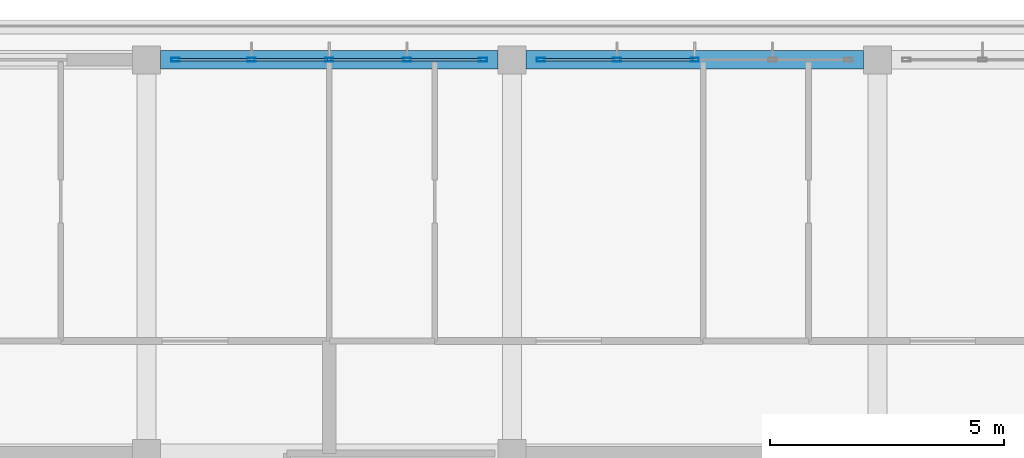
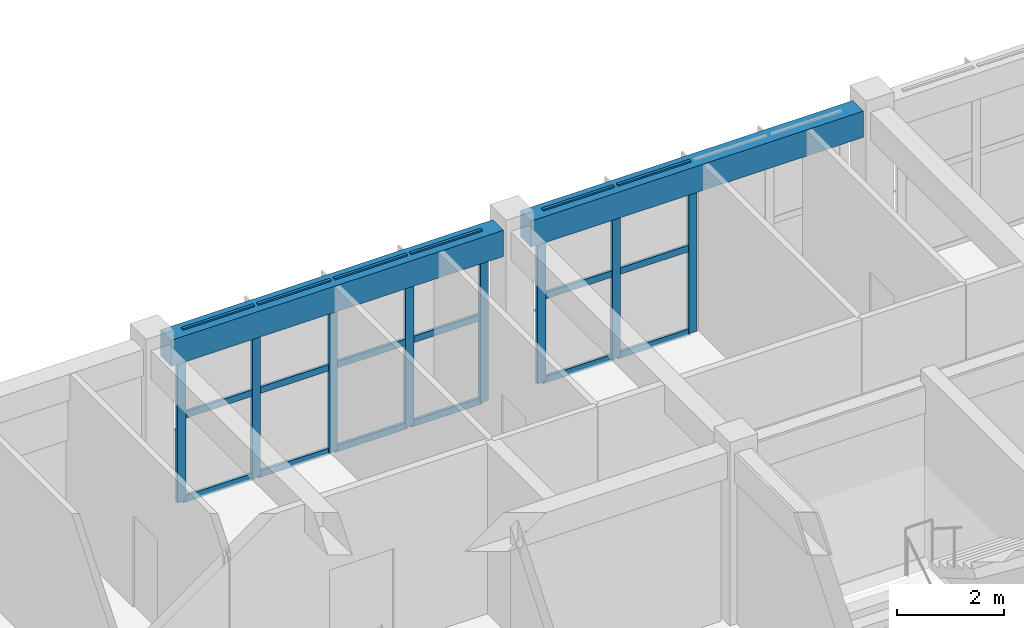
# One storey, part 19 of 56: 26 members, 2 beams, 2 elements without a shape of their own.
"""IFC4 building model written with IfcOpenShell, lengths in metres."""

from ifc_helpers import new_model, si_unit, direction, frame, origin, origin_2d, place, context, subcontext, project, spatial, rectangle, hollow_rectangle, extrude, material, layer, layer_set, material_profile, profile_set, type_object, element, aggregate, save


model = new_model("IFC4")

# Units and contexts
model_context = context("Model", 3, precision=1e-05, world=origin(), true_north=direction((0.0, 1.0)))
body_context = subcontext(model_context, "Body", "Model", "MODEL_VIEW")
ifc_project = project(units=[si_unit("LENGTHUNIT", "METRE"), si_unit("AREAUNIT", "SQUARE_METRE"), si_unit("VOLUMEUNIT", "CUBIC_METRE"), si_unit("PLANEANGLEUNIT", "RADIAN"), si_unit("MASSUNIT", "GRAM", prefix="KILO")], contexts=[model_context])

# Site, building, storey
site_placement = place(None, origin())
site = spatial("IfcSite", under=ifc_project, at=site_placement, CompositionType="ELEMENT")
building_placement = place(site_placement, origin())
building = spatial("IfcBuilding", under=site, at=building_placement, Name="Zizhar Promenade General Hospital", CompositionType="ELEMENT")
storey_placement = place(building_placement, frame((0.0, 0.0, 26.39990234375)))
storey = spatial("IfcBuildingStorey", under=building, at=storey_placement, Name="L06", CompositionType="ELEMENT", Elevation=26.39990234375)

# Beams
ifc_material_1 = material(Name="Concrete C35/45", Category="concrete")
ifc_material_profile_1 = material_profile(ifc_material_1, rectangle(XDim=0.39990234375, YDim=0.60009765625, at=origin_2d()))
ifc_profile_set_1 = profile_set([ifc_material_profile_1], Name="Concrete C35/45")
beam_type = type_object("IfcBeamType", Name="BM-RC-400x600", PredefinedType="JOIST", material=ifc_profile_set_1)
for number, where, z_axis, x_axis, name in (
    (1, (70.5, 25.199951171875, 3.610107421875), (1.0, 0.0, 0.0), (0.0, 1.0, 0.0), "Grid Beam X L06 (9-3)"),
    (2, (78.300048828125, 25.199951171875, 3.610107421875), (1.0, 0.0, 0.0), (0.0, 1.0, 0.0), "Grid Beam X L06 (10-3)"),
):
    element("IfcBeam", number, at=place(storey_placement, frame(where, z_axis=z_axis, x_axis=x_axis)), inside=storey, type_object=beam_type, Name=name, PredefinedType="JOIST", context=body_context, shape_type="SweptSolid", body=[
        extrude(rectangle(XDim=0.39990234375, YDim=0.60009765625, at=origin_2d()), origin(), (0.0, 0.0, 1.0), 7.199951171875),
    ])

# Curtain wall, members
ifc_material_2 = material(Name="Anodised aluminium 6063-T6 and low-E glass", Category="aluminium")
ifc_layer = layer(ifc_material_2, 0.159912109375)
ifc_layer_set = layer_set([ifc_layer], Name="Anodised aluminium 6063-T6 and low-E glass")
curtain_wall_type = type_object("IfcCurtainWallType", Name="CW-WARD-RIB", PredefinedType="NOTDEFINED", material=ifc_layer_set)
curtain_wall_1_placement = place(storey_placement, origin())
curtain_wall_1 = element("IfcCurtainWall", 3, at=curtain_wall_1_placement, inside=storey, type_object=curtain_wall_type, Name="Ward Ribbon Curtain Wall L06-8-5", PredefinedType="NOTDEFINED")
ifc_material_3 = material(Name="Anodised aluminium 6063-T6", Category="aluminium")
ifc_material_profile_2 = material_profile(ifc_material_3, hollow_rectangle(XDim=0.080078125, YDim=0.179931640625, WallThickness=0.0048828125, at=origin_2d()))
ifc_profile_set_2 = profile_set([ifc_material_profile_2], Name="Anodised aluminium 6063-T6")
member_type_1 = type_object("IfcMemberType", Name="CWM-ALU-180x80", PredefinedType="MULLION", material=ifc_profile_set_2)
member_1_placement = place(storey_placement, frame((70.820068359375, 25.199951171875, 0.0), z_axis=(0.0, 0.0, 1.0), x_axis=(0.0, 1.0, 0.0)))
member_1 = element("IfcMember", 4, at=member_1_placement, type_object=member_type_1, Name="CW-13 mullion 1", PredefinedType="MULLION", context=body_context, shape_type="SweptSolid", body=[
    extrude(hollow_rectangle(XDim=0.080078125, YDim=0.179931640625, WallThickness=0.0048828125, at=origin_2d()), origin(), (0.0, 0.0, 1.0), 3.900146484375),
])
member_2_placement = place(storey_placement, frame((72.43994140625, 25.199951171875, 0.0), z_axis=(0.0, 0.0, 1.0), x_axis=(0.0, 1.0, 0.0)))
member_2 = element("IfcMember", 5, at=member_2_placement, type_object=member_type_1, Name="CW-13 mullion 2", PredefinedType="MULLION", context=body_context, shape_type="SweptSolid", body=[
    extrude(hollow_rectangle(XDim=0.080078125, YDim=0.179931640625, WallThickness=0.0048828125, at=origin_2d()), origin(), (0.0, 0.0, 1.0), 3.900146484375),
])
member_3_placement = place(storey_placement, frame((74.10009765625, 25.199951171875, 0.0), z_axis=(0.0, 0.0, 1.0), x_axis=(0.0, 1.0, 0.0)))
member_3 = element("IfcMember", 6, at=member_3_placement, type_object=member_type_1, Name="CW-13 mullion 3", PredefinedType="MULLION", context=body_context, shape_type="SweptSolid", body=[
    extrude(hollow_rectangle(XDim=0.080078125, YDim=0.179931640625, WallThickness=0.0048828125, at=origin_2d()), origin(), (0.0, 0.0, 1.0), 3.900146484375),
])
member_4_placement = place(storey_placement, frame((75.760009765625, 25.199951171875, 0.0), z_axis=(0.0, 0.0, 1.0), x_axis=(0.0, 1.0, 0.0)))
member_4 = element("IfcMember", 7, at=member_4_placement, type_object=member_type_1, Name="CW-13 mullion 4", PredefinedType="MULLION", context=body_context, shape_type="SweptSolid", body=[
    extrude(hollow_rectangle(XDim=0.080078125, YDim=0.179931640625, WallThickness=0.0048828125, at=origin_2d()), origin(), (0.0, 0.0, 1.0), 3.900146484375),
])
member_5_placement = place(storey_placement, frame((77.3798828125, 25.199951171875, 0.0), z_axis=(0.0, 0.0, 1.0), x_axis=(0.0, 1.0, 0.0)))
member_5 = element("IfcMember", 8, at=member_5_placement, type_object=member_type_1, Name="CW-13 mullion 5", PredefinedType="MULLION", context=body_context, shape_type="SweptSolid", body=[
    extrude(hollow_rectangle(XDim=0.080078125, YDim=0.179931640625, WallThickness=0.0048828125, at=origin_2d()), origin(), (0.0, 0.0, 1.0), 3.900146484375),
])

curtain_wall_2_placement = place(storey_placement, origin())
curtain_wall_2 = element("IfcCurtainWall", 9, at=curtain_wall_2_placement, inside=storey, type_object=curtain_wall_type, Name="Ward Ribbon Curtain Wall L06-8-6", PredefinedType="NOTDEFINED")
member_6_placement = place(storey_placement, frame((78.6201171875, 25.199951171875, 0.0), z_axis=(0.0, 0.0, 1.0), x_axis=(0.0, 1.0, 0.0)))
member_6 = element("IfcMember", 10, at=member_6_placement, type_object=member_type_1, Name="CW-13 mullion 1", PredefinedType="MULLION", context=body_context, shape_type="SweptSolid", body=[
    extrude(hollow_rectangle(XDim=0.080078125, YDim=0.179931640625, WallThickness=0.0048828125, at=origin_2d()), origin(), (0.0, 0.0, 1.0), 3.900146484375),
])
member_7_placement = place(storey_placement, frame((80.239990234375, 25.199951171875, 0.0), z_axis=(0.0, 0.0, 1.0), x_axis=(0.0, 1.0, 0.0)))
member_7 = element("IfcMember", 11, at=member_7_placement, type_object=member_type_1, Name="CW-13 mullion 2", PredefinedType="MULLION", context=body_context, shape_type="SweptSolid", body=[
    extrude(hollow_rectangle(XDim=0.080078125, YDim=0.179931640625, WallThickness=0.0048828125, at=origin_2d()), origin(), (0.0, 0.0, 1.0), 3.900146484375),
])
member_8_placement = place(storey_placement, frame((81.89990234375, 25.199951171875, 0.0), z_axis=(0.0, 0.0, 1.0), x_axis=(0.0, 1.0, 0.0)))
member_8 = element("IfcMember", 12, at=member_8_placement, type_object=member_type_1, Name="CW-13 mullion 3", PredefinedType="MULLION", context=body_context, shape_type="SweptSolid", body=[
    extrude(hollow_rectangle(XDim=0.080078125, YDim=0.179931640625, WallThickness=0.0048828125, at=origin_2d()), origin(), (0.0, 0.0, 1.0), 3.900146484375),
])

# Member
ifc_material_4 = material(Name="Anodised aluminium 6063-T6", Category="aluminium")
ifc_material_profile_3 = material_profile(ifc_material_4, hollow_rectangle(XDim=0.06005859375, YDim=0.14990234375, WallThickness=0.00390625, at=origin_2d()))
ifc_profile_set_3 = profile_set([ifc_material_profile_3], Name="Anodised aluminium 6063-T6")
member_type_2 = type_object("IfcMemberType", Name="CWT-ALU-150x60", PredefinedType="USERDEFINED", material=ifc_profile_set_3)
member_9_placement = place(storey_placement, frame((70.860107421875, 25.199951171875, 0.030029296875), z_axis=(1.0, 0.0, 0.0), x_axis=(0.0, 1.0, 0.0)))
member_9 = element("IfcMember", 13, at=member_9_placement, type_object=member_type_2, Name="CW-13 transom 1.1", ObjectType="TRANSOM", PredefinedType="USERDEFINED", context=body_context, shape_type="SweptSolid", body=[
    extrude(hollow_rectangle(XDim=0.06005859375, YDim=0.14990234375, WallThickness=0.00390625, at=origin_2d()), origin(), (0.0, 0.0, 1.0), 1.539794921875),
])

member_10_placement = place(storey_placement, frame((70.860107421875, 25.199951171875, 1.9501953125), z_axis=(1.0, 0.0, 0.0), x_axis=(0.0, 1.0, 0.0)))
member_10 = element("IfcMember", 14, at=member_10_placement, type_object=member_type_2, Name="CW-13 transom 1.2", ObjectType="TRANSOM", PredefinedType="USERDEFINED", context=body_context, shape_type="SweptSolid", body=[
    extrude(hollow_rectangle(XDim=0.06005859375, YDim=0.14990234375, WallThickness=0.00390625, at=origin_2d()), origin(), (0.0, 0.0, 1.0), 1.539794921875),
])

member_11_placement = place(storey_placement, frame((70.860107421875, 25.199951171875, 3.8701171875), z_axis=(1.0, 0.0, 0.0), x_axis=(0.0, 1.0, 0.0)))
member_11 = element("IfcMember", 15, at=member_11_placement, type_object=member_type_2, Name="CW-13 transom 1.3", ObjectType="TRANSOM", PredefinedType="USERDEFINED", context=body_context, shape_type="SweptSolid", body=[
    extrude(hollow_rectangle(XDim=0.06005859375, YDim=0.14990234375, WallThickness=0.00390625, at=origin_2d()), origin(), (0.0, 0.0, 1.0), 1.539794921875),
])

member_12_placement = place(storey_placement, frame((72.47998046875, 25.199951171875, 0.030029296875), z_axis=(1.0, 0.0, 0.0), x_axis=(0.0, 1.0, 0.0)))
member_12 = element("IfcMember", 16, at=member_12_placement, type_object=member_type_2, Name="CW-13 transom 2.1", ObjectType="TRANSOM", PredefinedType="USERDEFINED", context=body_context, shape_type="SweptSolid", body=[
    extrude(hollow_rectangle(XDim=0.06005859375, YDim=0.14990234375, WallThickness=0.00390625, at=origin_2d()), origin(), (0.0, 0.0, 1.0), 1.580078125),
])

member_13_placement = place(storey_placement, frame((72.47998046875, 25.199951171875, 1.9501953125), z_axis=(1.0, 0.0, 0.0), x_axis=(0.0, 1.0, 0.0)))
member_13 = element("IfcMember", 17, at=member_13_placement, type_object=member_type_2, Name="CW-13 transom 2.2", ObjectType="TRANSOM", PredefinedType="USERDEFINED", context=body_context, shape_type="SweptSolid", body=[
    extrude(hollow_rectangle(XDim=0.06005859375, YDim=0.14990234375, WallThickness=0.00390625, at=origin_2d()), origin(), (0.0, 0.0, 1.0), 1.580078125),
])

member_14_placement = place(storey_placement, frame((72.47998046875, 25.199951171875, 3.8701171875), z_axis=(1.0, 0.0, 0.0), x_axis=(0.0, 1.0, 0.0)))
member_14 = element("IfcMember", 18, at=member_14_placement, type_object=member_type_2, Name="CW-13 transom 2.3", ObjectType="TRANSOM", PredefinedType="USERDEFINED", context=body_context, shape_type="SweptSolid", body=[
    extrude(hollow_rectangle(XDim=0.06005859375, YDim=0.14990234375, WallThickness=0.00390625, at=origin_2d()), origin(), (0.0, 0.0, 1.0), 1.580078125),
])

member_15_placement = place(storey_placement, frame((74.139892578125, 25.199951171875, 0.030029296875), z_axis=(1.0, 0.0, 0.0), x_axis=(0.0, 1.0, 0.0)))
member_15 = element("IfcMember", 19, at=member_15_placement, type_object=member_type_2, Name="CW-13 transom 3.1", ObjectType="TRANSOM", PredefinedType="USERDEFINED", context=body_context, shape_type="SweptSolid", body=[
    extrude(hollow_rectangle(XDim=0.06005859375, YDim=0.14990234375, WallThickness=0.00390625, at=origin_2d()), origin(), (0.0, 0.0, 1.0), 1.580078125),
])

member_16_placement = place(storey_placement, frame((74.139892578125, 25.199951171875, 1.9501953125), z_axis=(1.0, 0.0, 0.0), x_axis=(0.0, 1.0, 0.0)))
member_16 = element("IfcMember", 20, at=member_16_placement, type_object=member_type_2, Name="CW-13 transom 3.2", ObjectType="TRANSOM", PredefinedType="USERDEFINED", context=body_context, shape_type="SweptSolid", body=[
    extrude(hollow_rectangle(XDim=0.06005859375, YDim=0.14990234375, WallThickness=0.00390625, at=origin_2d()), origin(), (0.0, 0.0, 1.0), 1.580078125),
])

member_17_placement = place(storey_placement, frame((74.139892578125, 25.199951171875, 3.8701171875), z_axis=(1.0, 0.0, 0.0), x_axis=(0.0, 1.0, 0.0)))
member_17 = element("IfcMember", 21, at=member_17_placement, type_object=member_type_2, Name="CW-13 transom 3.3", ObjectType="TRANSOM", PredefinedType="USERDEFINED", context=body_context, shape_type="SweptSolid", body=[
    extrude(hollow_rectangle(XDim=0.06005859375, YDim=0.14990234375, WallThickness=0.00390625, at=origin_2d()), origin(), (0.0, 0.0, 1.0), 1.580078125),
])

member_18_placement = place(storey_placement, frame((75.800048828125, 25.199951171875, 0.030029296875), z_axis=(1.0, 0.0, 0.0), x_axis=(0.0, 1.0, 0.0)))
member_18 = element("IfcMember", 22, at=member_18_placement, type_object=member_type_2, Name="CW-13 transom 4.1", ObjectType="TRANSOM", PredefinedType="USERDEFINED", context=body_context, shape_type="SweptSolid", body=[
    extrude(hollow_rectangle(XDim=0.06005859375, YDim=0.14990234375, WallThickness=0.00390625, at=origin_2d()), origin(), (0.0, 0.0, 1.0), 1.5400390625),
])

member_19_placement = place(storey_placement, frame((75.800048828125, 25.199951171875, 1.9501953125), z_axis=(1.0, 0.0, 0.0), x_axis=(0.0, 1.0, 0.0)))
member_19 = element("IfcMember", 23, at=member_19_placement, type_object=member_type_2, Name="CW-13 transom 4.2", ObjectType="TRANSOM", PredefinedType="USERDEFINED", context=body_context, shape_type="SweptSolid", body=[
    extrude(hollow_rectangle(XDim=0.06005859375, YDim=0.14990234375, WallThickness=0.00390625, at=origin_2d()), origin(), (0.0, 0.0, 1.0), 1.5400390625),
])

member_20_placement = place(storey_placement, frame((75.800048828125, 25.199951171875, 3.8701171875), z_axis=(1.0, 0.0, 0.0), x_axis=(0.0, 1.0, 0.0)))
member_20 = element("IfcMember", 24, at=member_20_placement, type_object=member_type_2, Name="CW-13 transom 4.3", ObjectType="TRANSOM", PredefinedType="USERDEFINED", context=body_context, shape_type="SweptSolid", body=[
    extrude(hollow_rectangle(XDim=0.06005859375, YDim=0.14990234375, WallThickness=0.00390625, at=origin_2d()), origin(), (0.0, 0.0, 1.0), 1.5400390625),
])

aggregate(curtain_wall_1, [member_1, member_2, member_3, member_4, member_5, member_9, member_10, member_11, member_12, member_13, member_14, member_15, member_16, member_17, member_18, member_19, member_20])

member_21_placement = place(storey_placement, frame((78.659912109375, 25.199951171875, 0.030029296875), z_axis=(1.0, 0.0, 0.0), x_axis=(0.0, 1.0, 0.0)))
member_21 = element("IfcMember", 25, at=member_21_placement, type_object=member_type_2, Name="CW-13 transom 1.1", ObjectType="TRANSOM", PredefinedType="USERDEFINED", context=body_context, shape_type="SweptSolid", body=[
    extrude(hollow_rectangle(XDim=0.06005859375, YDim=0.14990234375, WallThickness=0.00390625, at=origin_2d()), origin(), (0.0, 0.0, 1.0), 1.5400390625),
])

member_22_placement = place(storey_placement, frame((78.659912109375, 25.199951171875, 1.9501953125), z_axis=(1.0, 0.0, 0.0), x_axis=(0.0, 1.0, 0.0)))
member_22 = element("IfcMember", 26, at=member_22_placement, type_object=member_type_2, Name="CW-13 transom 1.2", ObjectType="TRANSOM", PredefinedType="USERDEFINED", context=body_context, shape_type="SweptSolid", body=[
    extrude(hollow_rectangle(XDim=0.06005859375, YDim=0.14990234375, WallThickness=0.00390625, at=origin_2d()), origin(), (0.0, 0.0, 1.0), 1.5400390625),
])

member_23_placement = place(storey_placement, frame((78.659912109375, 25.199951171875, 3.8701171875), z_axis=(1.0, 0.0, 0.0), x_axis=(0.0, 1.0, 0.0)))
member_23 = element("IfcMember", 27, at=member_23_placement, type_object=member_type_2, Name="CW-13 transom 1.3", ObjectType="TRANSOM", PredefinedType="USERDEFINED", context=body_context, shape_type="SweptSolid", body=[
    extrude(hollow_rectangle(XDim=0.06005859375, YDim=0.14990234375, WallThickness=0.00390625, at=origin_2d()), origin(), (0.0, 0.0, 1.0), 1.5400390625),
])

member_24_placement = place(storey_placement, frame((80.280029296875, 25.199951171875, 0.030029296875), z_axis=(1.0, 0.0, 0.0), x_axis=(0.0, 1.0, 0.0)))
member_24 = element("IfcMember", 28, at=member_24_placement, type_object=member_type_2, Name="CW-13 transom 2.1", ObjectType="TRANSOM", PredefinedType="USERDEFINED", context=body_context, shape_type="SweptSolid", body=[
    extrude(hollow_rectangle(XDim=0.06005859375, YDim=0.14990234375, WallThickness=0.00390625, at=origin_2d()), origin(), (0.0, 0.0, 1.0), 1.580078125),
])

member_25_placement = place(storey_placement, frame((80.280029296875, 25.199951171875, 1.9501953125), z_axis=(1.0, 0.0, 0.0), x_axis=(0.0, 1.0, 0.0)))
member_25 = element("IfcMember", 29, at=member_25_placement, type_object=member_type_2, Name="CW-13 transom 2.2", ObjectType="TRANSOM", PredefinedType="USERDEFINED", context=body_context, shape_type="SweptSolid", body=[
    extrude(hollow_rectangle(XDim=0.06005859375, YDim=0.14990234375, WallThickness=0.00390625, at=origin_2d()), origin(), (0.0, 0.0, 1.0), 1.580078125),
])

member_26_placement = place(storey_placement, frame((80.280029296875, 25.199951171875, 3.8701171875), z_axis=(1.0, 0.0, 0.0), x_axis=(0.0, 1.0, 0.0)))
member_26 = element("IfcMember", 30, at=member_26_placement, type_object=member_type_2, Name="CW-13 transom 2.3", ObjectType="TRANSOM", PredefinedType="USERDEFINED", context=body_context, shape_type="SweptSolid", body=[
    extrude(hollow_rectangle(XDim=0.06005859375, YDim=0.14990234375, WallThickness=0.00390625, at=origin_2d()), origin(), (0.0, 0.0, 1.0), 1.580078125),
])

aggregate(curtain_wall_2, [member_6, member_7, member_8, member_21, member_22, member_23, member_24, member_25, member_26])

save(model, "model.ifc")
